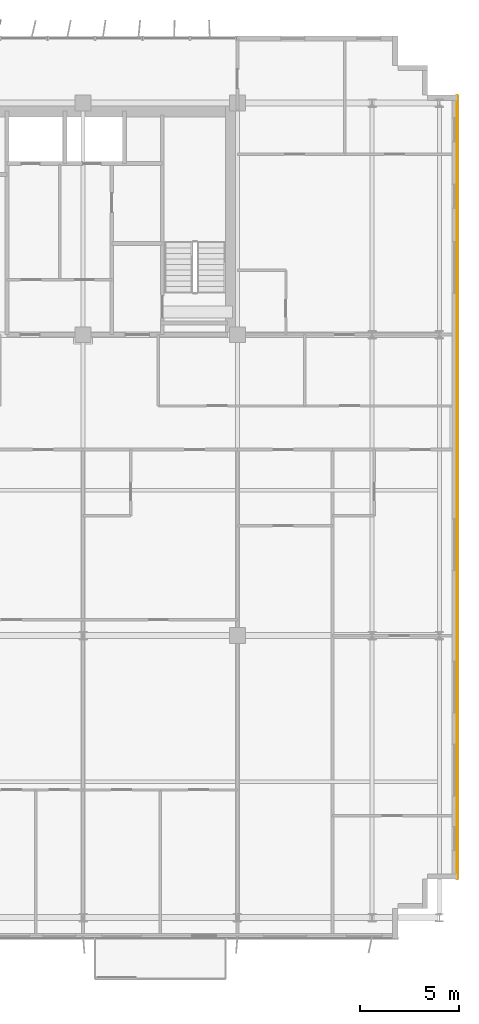
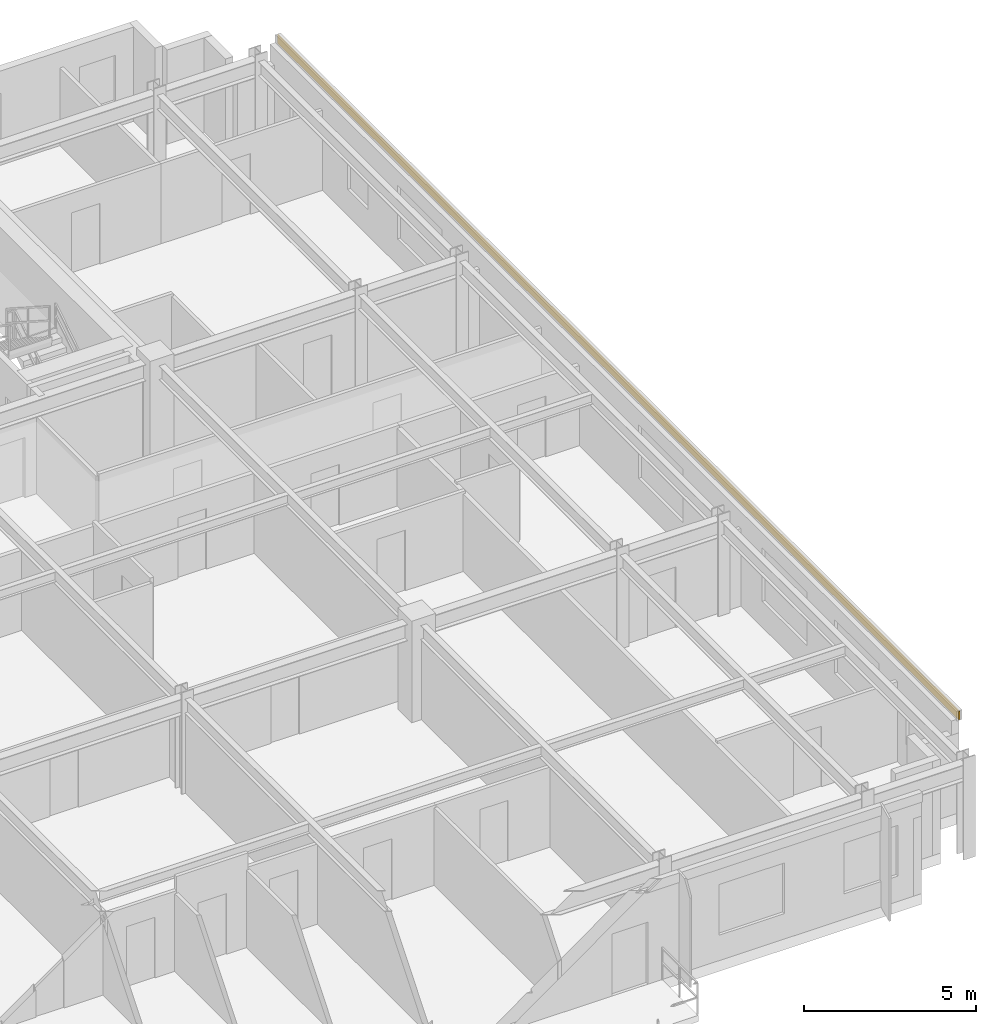
# One storey, part 22 of 22: 1 covering.
"""IFC4 building model written with IfcOpenShell, lengths in metres."""

import ifcopenshell
import ifcopenshell.guid

model = None  # the IFC model being written
_history = None  # IfcOwnerHistory: only IFC2X3 demands one
_inside = {}  # id of a spatial element -> (the spatial element, [elements in it])
_under = {}  # id of a project, library or spatial element -> (it, [spatial elements below it])
_declared = {}  # id of a project -> (the project, [libraries it declares])
_typed = {}  # id of a type object -> (the type object, [elements of that type])
_made_of = {}  # id of a material, layer set ... -> (it, [elements and type objects made of it])


def new_model(schema):
    """Start an empty IFC model of exactly this schema.

    Asked for "IFC4X3", IfcOpenShell would pick the latest addendum, in which some entities
    have other attributes; the version numbers below select the first issue.
    IFC2X3 requires an IfcOwnerHistory on every rooted entity: one is made here for all.
    """
    global model, _history
    if schema == "IFC4X3":
        model = ifcopenshell.file(schema_version=(4, 3, 0, 0))
    else:
        model = ifcopenshell.file(schema=schema)
    _inside.clear()
    _under.clear()
    _declared.clear()
    _typed.clear()
    _made_of.clear()
    _history = None
    if model.schema == "IFC2X3":
        org = make("IfcOrganization", Name="unknown")
        user = make(
            "IfcPersonAndOrganization",
            ThePerson=make("IfcPerson", FamilyName="unknown"),
            TheOrganization=org,
        )
        app = make(
            "IfcApplication",
            ApplicationDeveloper=org,
            Version="unknown",
            ApplicationFullName="unknown",
            ApplicationIdentifier="unknown",
        )
        _history = make(
            "IfcOwnerHistory",
            OwningUser=user,
            OwningApplication=app,
            ChangeAction="ADDED",
            CreationDate=0,
        )
    return model


def make(cls, **values):
    """One entity of the class cls with the attributes given. An attribute that is None is left unset."""
    return model.create_entity(
        cls, **{name: value for name, value in values.items() if value is not None}
    )


def rooted(cls, **values):
    """An entity with a GlobalId (a new one), such as an element, a storey or a relation."""
    return make(cls, GlobalId=ifcopenshell.guid.new(), OwnerHistory=_history, **values)


def si_unit(unit_type, name, prefix=None):
    """IfcSIUnit, for example si_unit("LENGTHUNIT", "METRE", prefix="MILLI")."""
    return make("IfcSIUnit", UnitType=unit_type, Prefix=prefix, Name=name)


def assignment(units):
    """IfcUnitAssignment: the units of a project."""
    return None if units is None else make("IfcUnitAssignment", Units=units)


def point(xyz):
    """IfcCartesianPoint."""
    return None if xyz is None else make("IfcCartesianPoint", Coordinates=xyz)


def direction(xyz):
    """IfcDirection."""
    return None if xyz is None else make("IfcDirection", DirectionRatios=xyz)


def frame(location, z_axis=None, x_axis=None):
    """IfcAxis2Placement3D, a coordinate frame: its origin and axes. An axis left out is left unset."""
    return make(
        "IfcAxis2Placement3D",
        Location=point(location),
        Axis=direction(z_axis),
        RefDirection=direction(x_axis),
    )


def frame_2d(location, x_axis=None):
    """IfcAxis2Placement2D, a coordinate frame in the plane: its origin and x axis."""
    return make(
        "IfcAxis2Placement2D", Location=point(location), RefDirection=direction(x_axis)
    )


def origin():
    """The frame at (0, 0, 0) with its axes left unset."""
    return frame((0.0, 0.0, 0.0))


def origin_2d():
    """The frame at (0, 0) in the plane with its x axis left unset."""
    return frame_2d((0.0, 0.0))


def place(relative_to, where):
    """IfcLocalPlacement: puts the frame where relative to a parent placement (None: the world)."""
    return make(
        "IfcLocalPlacement", PlacementRelTo=relative_to, RelativePlacement=where
    )


def context(
    kind, dimensions, precision=None, world=None, true_north=None, identifier=None
):
    """IfcGeometricRepresentationContext, for example the 3D "Model" context."""
    return make(
        "IfcGeometricRepresentationContext",
        ContextIdentifier=identifier,
        ContextType=kind,
        CoordinateSpaceDimension=dimensions,
        Precision=precision,
        WorldCoordinateSystem=world,
        TrueNorth=true_north,
    )


def subcontext(parent, identifier, kind, view, scale=None):
    """IfcGeometricRepresentationSubContext, for example "Body" below "Model"."""
    return make(
        "IfcGeometricRepresentationSubContext",
        ContextIdentifier=identifier,
        ContextType=kind,
        ParentContext=parent,
        TargetScale=scale,
        TargetView=view,
    )


def project(units=None, contexts=None):
    """IfcProject with its units and contexts."""
    return rooted(
        "IfcProject",
        Name="project",
        RepresentationContexts=contexts,
        UnitsInContext=assignment(units),
    )


def spatial(cls, under=None, at=None, **own):
    """A site, building, storey or space (cls), placed at a placement, below another one or the project."""
    s = rooted(cls, ObjectPlacement=at, **own)
    if under is not None:
        _under.setdefault(under.id(), (under, []))[1].append(s)
    return s


def profile(cls, at=None, kind="AREA", **sizes):
    """A parametric profile (cls). Its sizes go by their IFC names, for example OverallWidth=200.0."""
    return make(cls, ProfileType=kind, Position=at, **sizes)


def rectangle(**sizes):
    """IfcRectangleProfileDef."""
    return profile("IfcRectangleProfileDef", **sizes)


def extrude(swept, where, along, depth):
    """IfcExtrudedAreaSolid: the profile swept, set in the frame where, extruded along a direction by depth."""
    return make(
        "IfcExtrudedAreaSolid",
        SweptArea=swept,
        Position=where,
        ExtrudedDirection=direction(along),
        Depth=depth,
    )


def shape(context_of_items, identifier, shape_type, items):
    """IfcShapeRepresentation: the items that make up one representation, for example the "Body"."""
    return make(
        "IfcShapeRepresentation",
        ContextOfItems=context_of_items,
        RepresentationIdentifier=identifier,
        RepresentationType=shape_type,
        Items=items,
    )


def source(mapping_origin, context_of_items, identifier, shape_type, items):
    """IfcRepresentationMap: a shape defined once, which mapped items show again and again."""
    return make(
        "IfcRepresentationMap",
        MappingOrigin=mapping_origin,
        MappedRepresentation=shape(context_of_items, identifier, shape_type, items),
    )


def transform(
    local_origin,
    x_axis=None,
    y_axis=None,
    z_axis=None,
    scale=None,
    scale2=None,
    scale3=None,
    uniform=True,
):
    """IfcCartesianTransformationOperator3D, or its non-uniform kind. x_axis, y_axis, z_axis: its Axis1, 2, 3."""
    if uniform:
        return make(
            "IfcCartesianTransformationOperator3D",
            Axis1=direction(x_axis),
            Axis2=direction(y_axis),
            LocalOrigin=point(local_origin),
            Scale=scale,
            Axis3=direction(z_axis),
        )
    return make(
        "IfcCartesianTransformationOperator3DnonUniform",
        Axis1=direction(x_axis),
        Axis2=direction(y_axis),
        LocalOrigin=point(local_origin),
        Scale=scale,
        Axis3=direction(z_axis),
        Scale2=scale2,
        Scale3=scale3,
    )


def mapped(mapping_source, mapping_target):
    """IfcMappedItem: shows the shape of a source again, moved by a transform."""
    return make(
        "IfcMappedItem", MappingSource=mapping_source, MappingTarget=mapping_target
    )


def material(Name=None, Category=None):
    """IfcMaterial."""
    return make("IfcMaterial", Name=Name, Category=Category)


def layer(
    of_material, thickness, ventilated=None, Name=None, Category=None, Priority=None
):
    """IfcMaterialLayer: one layer of a wall or slab, of a material (None: an air gap)."""
    return make(
        "IfcMaterialLayer",
        Material=of_material,
        LayerThickness=thickness,
        IsVentilated=ventilated,
        Name=Name,
        Category=Category,
        Priority=Priority,
    )


def layer_set(layers, Name=None):
    """IfcMaterialLayerSet."""
    return make("IfcMaterialLayerSet", MaterialLayers=layers, LayerSetName=Name)


def made_of(thing, what):
    """Note that an element or type object is made of a material, layer set ...; save() writes the relation."""
    if what is not None:
        _made_of.setdefault(what.id(), (what, []))[1].append(thing)
    return thing


def type_object(cls, material=None, **own):
    """A type object (cls), such as IfcWallType, which elements share."""
    return made_of(rooted(cls, **own), material)


def element(
    cls,
    number,
    at=None,
    inside=None,
    cuts=None,
    type_object=None,
    material=None,
    context=None,
    identifier="Body",
    shape_type=None,
    held_by="IfcProductDefinitionShape",
    body=None,
    shapes=None,
    **own,
):
    """One element of the class cls, such as IfcWall. Its Tag is "e" and its number.

    at: its placement. inside: the storey or other place that contains it. cuts: it is an
    opening in that element (IfcRelVoidsElement). A single representation is given by context,
    identifier, shape_type and body (its items); several are given by shapes. held_by: the class
    of the entity that holds the representations. save() writes the other relations.
    """
    e = rooted(cls, Tag="e%d" % number, ObjectPlacement=at, **own)
    if body is not None:
        shapes = [shape(context, identifier, shape_type, body)]
    if shapes is not None:
        e.Representation = make(held_by, Representations=shapes)
    if inside is not None:
        _inside.setdefault(inside.id(), (inside, []))[1].append(e)
    if cuts is not None:
        rooted(
            "IfcRelVoidsElement", RelatingBuildingElement=cuts, RelatedOpeningElement=e
        )
    if type_object is not None:
        _typed.setdefault(type_object.id(), (type_object, []))[1].append(e)
    return made_of(e, material)


def aggregate(whole, parts):
    """IfcRelAggregates: a whole, such as a stair, and the parts it consists of."""
    return rooted("IfcRelAggregates", RelatingObject=whole, RelatedObjects=parts)


def save(model, path):
    """Write the relations noted so far, then the file.

    IfcRelAggregates (storeys below a building ...), IfcRelContainedInSpatialStructure (elements
    in a storey), IfcRelDefinesByType, IfcRelAssociatesMaterial and IfcRelDeclares: one each for
    every whole, place, type object, material and project.
    """
    for whole, parts in _under.values():
        aggregate(whole, parts)
    for where, things in _inside.values():
        rooted(
            "IfcRelContainedInSpatialStructure",
            RelatedElements=things,
            RelatingStructure=where,
        )
    for kind, things in _typed.values():
        rooted("IfcRelDefinesByType", RelatedObjects=things, RelatingType=kind)
    for what, things in _made_of.values():
        rooted("IfcRelAssociatesMaterial", RelatedObjects=things, RelatingMaterial=what)
    for by, libraries in _declared.values():
        rooted("IfcRelDeclares", RelatingContext=by, RelatedDefinitions=libraries)
    model.write(path)


model = new_model("IFC4")

# Units and contexts
model_context = context("Model", 3, precision=1e-05, world=origin(), true_north=direction((0.0, 1.0)))
body_context = subcontext(model_context, "Body", "Model", "MODEL_VIEW")
ifc_project = project(units=[si_unit("LENGTHUNIT", "METRE"), si_unit("AREAUNIT", "SQUARE_METRE"), si_unit("VOLUMEUNIT", "CUBIC_METRE"), si_unit("PLANEANGLEUNIT", "RADIAN"), si_unit("MASSUNIT", "GRAM", prefix="KILO")], contexts=[model_context])

# Site, building, storey
site_placement = place(None, origin())
site = spatial("IfcSite", under=ifc_project, at=site_placement, CompositionType="ELEMENT")
building_placement = place(site_placement, origin())
building = spatial("IfcBuilding", under=site, at=building_placement, Name="Trelvane Seafront Commons", CompositionType="ELEMENT")
storey_placement = place(building_placement, frame((0.0, 0.0, 81.699951171875)))
storey = spatial("IfcBuildingStorey", under=building, at=storey_placement, Name="L20", CompositionType="ELEMENT", Elevation=81.699951171875)

# Covering
ifc_material = material(Name="Anodised pale-silver aluminium", Category="aluminium")
ifc_layer = layer(ifc_material, 0.034912109375, Name="ARCH-COV-CLAD35")
ifc_layer_set = layer_set([ifc_layer], Name="Anodised pale-silver aluminium")
covering_type = type_object("IfcCoveringType", Name="ARCH-COV-CLAD35", PredefinedType="CLADDING", material=ifc_layer_set)
shared_shape = source(origin(), body_context, "Body", "SweptSolid", [
    extrude(rectangle(XDim=39.60009765625, YDim=0.034912109375, at=origin_2d()), origin(), (0.0, 0.0, 1.0), 0.300048828125),
])
covering_placement = place(storey_placement, frame((69.89990234375, 25.699951171875, 3.2998046875), z_axis=(0.0, 0.0, 1.0), x_axis=(0.0, -1.0, 0.0)))
element("IfcCovering", 1, at=covering_placement, inside=storey, type_object=covering_type, Name="CLD-L20-00092", PredefinedType="CLADDING", context=body_context, shape_type="MappedRepresentation", body=[
    mapped(shared_shape, transform((0.0, 0.0, 0.0), x_axis=(1.0, 0.0, 0.0), y_axis=(0.0, 1.0, 0.0), z_axis=(0.0, 0.0, 1.0), scale=1.0)),
])

save(model, "model.ifc")
